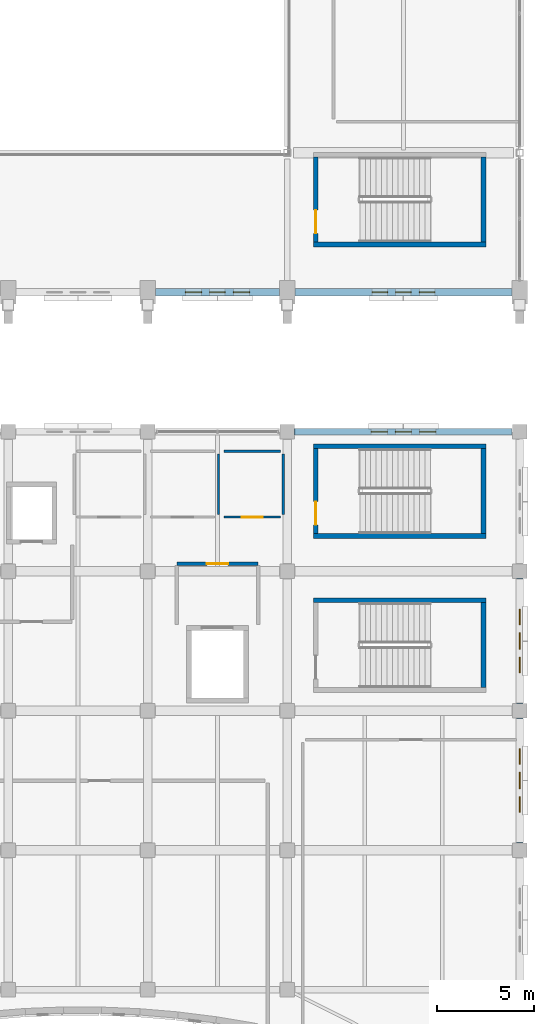
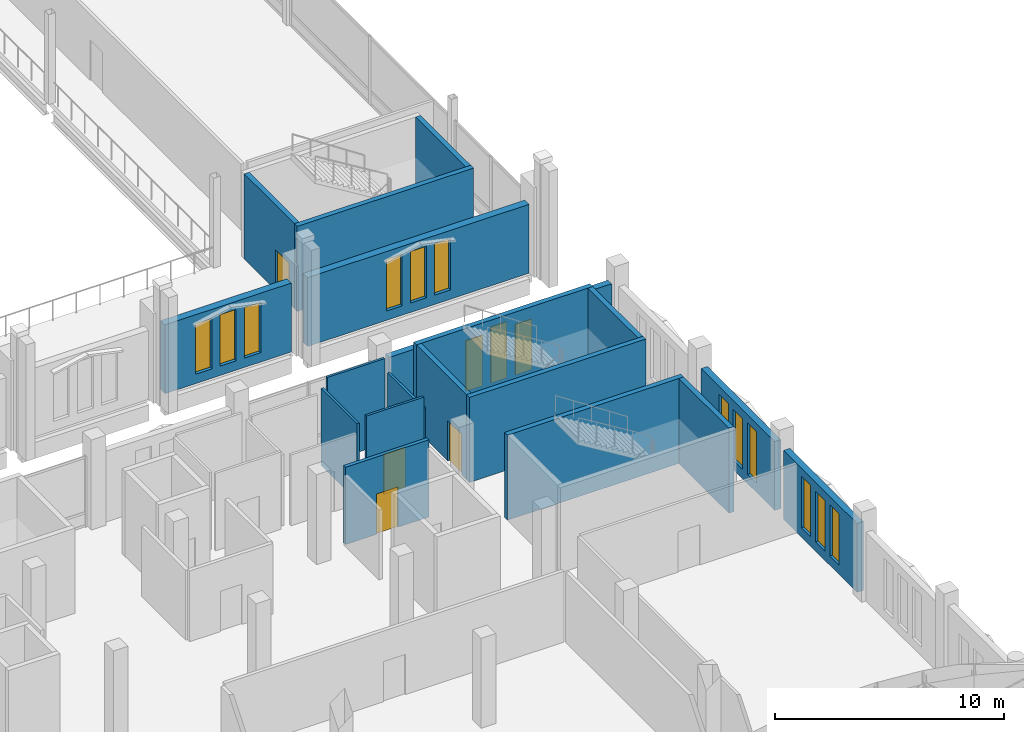
# One storey, part 145 of 193: 19 walls, 15 windows, 4 doors, 19 openings.
"""IFC4 building model written with IfcOpenShell, lengths in metres."""

from ifc_helpers import new_model, si_unit, direction, frame, frame_2d, origin, place, context, subcontext, project, spatial, rectangle, extrude, material, layer, layer_set, type_object, element, fill, save


model = new_model("IFC4")

# Units and contexts
model_context = context("Model", 3, precision=1e-05, world=origin(), true_north=direction((0.0, 1.0)))
body_context = subcontext(model_context, "Body", "Model", "MODEL_VIEW")
ifc_project = project(units=[si_unit("LENGTHUNIT", "METRE"), si_unit("AREAUNIT", "SQUARE_METRE"), si_unit("VOLUMEUNIT", "CUBIC_METRE"), si_unit("PLANEANGLEUNIT", "RADIAN"), si_unit("MASSUNIT", "GRAM", prefix="KILO")], contexts=[model_context])

# Site, building, storey
site_placement = place(None, origin())
site = spatial("IfcSite", under=ifc_project, at=site_placement, CompositionType="ELEMENT")
building_placement = place(site_placement, origin())
building = spatial("IfcBuilding", under=site, at=building_placement, Name="Cendralis Lancet Convention Centre", CompositionType="ELEMENT")
storey_placement = place(building_placement, frame((0.0, 0.0, 10.199951171875)))
storey = spatial("IfcBuildingStorey", under=building, at=storey_placement, Name="L02", CompositionType="ELEMENT", Elevation=10.199951171875)

# Wall, openings, windows
ifc_material_1 = material(Name="Buff sandstone ashlar and Concrete G40 (C40/50)", Category="masonry")
ifc_layer_1 = layer(ifc_material_1, 0.320068359375, Name="Buff sandstone ashlar and Concrete G40 (C40/50)")
ifc_layer_set_1 = layer_set([ifc_layer_1], Name="Buff sandstone ashlar and Concrete G40 (C40/50)")
wall_type_1 = type_object("IfcWallType", Name="ARC-EW-W320", PredefinedType="STANDARD", material=ifc_layer_set_1)
wall_1_placement = place(storey_placement, frame((197.18310546875, 36.0, 0.0), z_axis=(0.0, 0.0, 1.0), x_axis=(1.0, 0.0, 0.0)))
wall_1 = element("IfcWall", 1, at=wall_1_placement, inside=storey, type_object=wall_type_1, Name="L02 V5 Exterior Wall EW-06 #0290", PredefinedType="STANDARD", context=body_context, shape_type="SweptSolid", body=[
    extrude(rectangle(XDim=11.23388671875, YDim=0.320068359375, at=frame_2d((5.616943359375, 0.0))), origin(), (0.0, 0.0, 1.0), 3.775146484375),
])
opening_1_placement = place(wall_1_placement, frame((3.947021484375, 0.0, 0.5)))
opening_1 = element("IfcOpeningElement", 2, at=opening_1_placement, cuts=wall_1, Name="Opening WN-15", PredefinedType="OPENING", context=body_context, shape_type="SweptSolid", body=[
    extrude(rectangle(XDim=0.840087890625, YDim=2.699951171875, at=frame_2d((0.419921875, 1.35009765625))), frame((0.0, 0.169921875, 0.0), z_axis=(0.0, -1.0, 0.0), x_axis=(1.0, 0.0, 0.0)), (0.0, 0.0, 1.0), 0.340087890625),
])
opening_2_placement = place(wall_1_placement, frame((5.20703125, 0.0, 0.5)))
opening_2 = element("IfcOpeningElement", 3, at=opening_2_placement, cuts=wall_1, Name="Opening WN-02", PredefinedType="OPENING", context=body_context, shape_type="SweptSolid", body=[
    extrude(rectangle(XDim=0.820068359375, YDim=3.0, at=frame_2d((0.41015625, 1.5))), frame((0.0, 0.169921875, 0.0), z_axis=(0.0, -1.0, 0.0), x_axis=(1.0, 0.0, 0.0)), (0.0, 0.0, 1.0), 0.340087890625),
])
opening_3_placement = place(wall_1_placement, frame((6.447021484375, 0.0, 0.5)))
opening_3 = element("IfcOpeningElement", 4, at=opening_3_placement, cuts=wall_1, Name="Opening WN-15", PredefinedType="OPENING", context=body_context, shape_type="SweptSolid", body=[
    extrude(rectangle(XDim=0.840087890625, YDim=2.699951171875, at=frame_2d((0.419921875, 1.35009765625))), frame((0.0, 0.169921875, 0.0), z_axis=(0.0, -1.0, 0.0), x_axis=(1.0, 0.0, 0.0)), (0.0, 0.0, 1.0), 0.340087890625),
])
ifc_material_2 = material(Name="Double-glazed low-E solar-control glass", Category="glass")
window_type_1 = type_object("IfcWindowType", Name="ARC-WN-LW02", PartitioningType="SINGLE_PANEL", PredefinedType="WINDOW", material=ifc_material_2)
window_1_placement = place(opening_2_placement, origin())
window_1 = element("IfcWindow", 5, at=window_1_placement, inside=storey, type_object=window_type_1, Name="Gothic Lancet Window WN-02 #0560", OverallHeight=3.0, OverallWidth=0.820068359375, PartitioningType="SINGLE_PANEL", PredefinedType="WINDOW", context=body_context, shape_type="SweptSolid", body=[
    extrude(rectangle(XDim=0.820068359375, YDim=3.0, at=frame_2d((0.41015625, 1.5))), frame((0.0, 0.030029296875, 0.0), z_axis=(0.0, -1.0, 0.0), x_axis=(1.0, 0.0, 0.0)), (0.0, 0.0, 1.0), 0.06005859375),
])
fill(opening_2, window_1)
window_type_2 = type_object("IfcWindowType", Name="ARC-WN-LW15", PartitioningType="SINGLE_PANEL", PredefinedType="WINDOW", material=ifc_material_2)
window_2_placement = place(opening_1_placement, origin())
window_2 = element("IfcWindow", 6, at=window_2_placement, inside=storey, type_object=window_type_2, Name="Gothic Lancet Window WN-15 #0559", OverallHeight=2.699951171875, OverallWidth=0.840087890625, PartitioningType="SINGLE_PANEL", PredefinedType="WINDOW", context=body_context, shape_type="SweptSolid", body=[
    extrude(rectangle(XDim=0.840087890625, YDim=2.699951171875, at=frame_2d((0.419921875, 1.35009765625))), frame((0.0, 0.030029296875, 0.0), z_axis=(0.0, -1.0, 0.0), x_axis=(1.0, 0.0, 0.0)), (0.0, 0.0, 1.0), 0.06005859375),
])
fill(opening_1, window_2)
window_3_placement = place(opening_3_placement, origin())
window_3 = element("IfcWindow", 7, at=window_3_placement, inside=storey, type_object=window_type_2, Name="Gothic Lancet Window WN-15 #0561", OverallHeight=2.699951171875, OverallWidth=0.840087890625, PartitioningType="SINGLE_PANEL", PredefinedType="WINDOW", context=body_context, shape_type="SweptSolid", body=[
    extrude(rectangle(XDim=0.840087890625, YDim=2.699951171875, at=frame_2d((0.419921875, 1.35009765625))), frame((0.0, 0.030029296875, 0.0), z_axis=(0.0, -1.0, 0.0), x_axis=(1.0, 0.0, 0.0)), (0.0, 0.0, 1.0), 0.06005859375),
])
fill(opening_3, window_3)

wall_2_placement = place(storey_placement, frame((208.800048828125, 21.217041015625, 0.0), z_axis=(0.0, 0.0, 1.0), x_axis=(0.0, -1.0, 0.0)))
wall_2 = element("IfcWall", 8, at=wall_2_placement, inside=storey, type_object=wall_type_1, Name="L02 V5 Exterior Wall EW-06 #0293", PredefinedType="STANDARD", context=body_context, shape_type="SweptSolid", body=[
    extrude(rectangle(XDim=6.43408203125, YDim=0.320068359375, at=frame_2d((3.217041015625, 0.0))), origin(), (0.0, 0.0, 1.0), 3.675048828125),
])
opening_4_placement = place(wall_2_placement, frame((1.576904296875, 0.0, 0.5)))
opening_4 = element("IfcOpeningElement", 9, at=opening_4_placement, cuts=wall_2, Name="Opening WN-07", PredefinedType="OPENING", context=body_context, shape_type="SweptSolid", body=[
    extrude(rectangle(XDim=0.800048828125, YDim=2.75, at=frame_2d((0.39990234375, 1.375))), frame((0.0, 0.169921875, 0.0), z_axis=(0.0, -1.0, 0.0), x_axis=(1.0, 0.0, 0.0)), (0.0, 0.0, 1.0), 0.340087890625),
])
opening_5_placement = place(wall_2_placement, frame((2.797119140625, 0.0, 0.5)))
opening_5 = element("IfcOpeningElement", 10, at=opening_5_placement, cuts=wall_2, Name="Opening WN-15", PredefinedType="OPENING", context=body_context, shape_type="SweptSolid", body=[
    extrude(rectangle(XDim=0.840087890625, YDim=2.699951171875, at=frame_2d((0.419921875, 1.35009765625))), frame((0.0, 0.169921875, 0.0), z_axis=(0.0, -1.0, 0.0), x_axis=(1.0, 0.0, 0.0)), (0.0, 0.0, 1.0), 0.340087890625),
])
opening_6_placement = place(wall_2_placement, frame((4.056884765625, 0.0, 0.5)))
opening_6 = element("IfcOpeningElement", 11, at=opening_6_placement, cuts=wall_2, Name="Opening WN-07", PredefinedType="OPENING", context=body_context, shape_type="SweptSolid", body=[
    extrude(rectangle(XDim=0.800048828125, YDim=2.75, at=frame_2d((0.39990234375, 1.375))), frame((0.0, 0.169921875, 0.0), z_axis=(0.0, -1.0, 0.0), x_axis=(1.0, 0.0, 0.0)), (0.0, 0.0, 1.0), 0.340087890625),
])
window_type_3 = type_object("IfcWindowType", Name="ARC-WN-LW07", PartitioningType="SINGLE_PANEL", PredefinedType="WINDOW", material=ifc_material_2)
window_4_placement = place(opening_4_placement, origin())
window_4 = element("IfcWindow", 12, at=window_4_placement, inside=storey, type_object=window_type_3, Name="Gothic Lancet Window WN-07 #0568", OverallHeight=2.75, OverallWidth=0.800048828125, PartitioningType="SINGLE_PANEL", PredefinedType="WINDOW", context=body_context, shape_type="SweptSolid", body=[
    extrude(rectangle(XDim=0.800048828125, YDim=2.75, at=frame_2d((0.39990234375, 1.375))), frame((0.0, 0.030029296875, 0.0), z_axis=(0.0, -1.0, 0.0), x_axis=(1.0, 0.0, 0.0)), (0.0, 0.0, 1.0), 0.06005859375),
])
fill(opening_4, window_4)
window_5_placement = place(opening_6_placement, origin())
window_5 = element("IfcWindow", 13, at=window_5_placement, inside=storey, type_object=window_type_3, Name="Gothic Lancet Window WN-07 #0570", OverallHeight=2.75, OverallWidth=0.800048828125, PartitioningType="SINGLE_PANEL", PredefinedType="WINDOW", context=body_context, shape_type="SweptSolid", body=[
    extrude(rectangle(XDim=0.800048828125, YDim=2.75, at=frame_2d((0.39990234375, 1.375))), frame((0.0, 0.030029296875, 0.0), z_axis=(0.0, -1.0, 0.0), x_axis=(1.0, 0.0, 0.0)), (0.0, 0.0, 1.0), 0.06005859375),
])
fill(opening_6, window_5)
window_6_placement = place(opening_5_placement, origin())
window_6 = element("IfcWindow", 14, at=window_6_placement, inside=storey, type_object=window_type_2, Name="Gothic Lancet Window WN-15 #0569", OverallHeight=2.699951171875, OverallWidth=0.840087890625, PartitioningType="SINGLE_PANEL", PredefinedType="WINDOW", context=body_context, shape_type="SweptSolid", body=[
    extrude(rectangle(XDim=0.840087890625, YDim=2.699951171875, at=frame_2d((0.419921875, 1.35009765625))), frame((0.0, 0.030029296875, 0.0), z_axis=(0.0, -1.0, 0.0), x_axis=(1.0, 0.0, 0.0)), (0.0, 0.0, 1.0), 0.06005859375),
])
fill(opening_5, window_6)

wall_3_placement = place(storey_placement, frame((208.800048828125, 28.4169921875, 0.0), z_axis=(0.0, 0.0, 1.0), x_axis=(0.0, -1.0, 0.0)))
wall_3 = element("IfcWall", 15, at=wall_3_placement, inside=storey, type_object=wall_type_1, Name="L02 V5 Exterior Wall EW-06 #0294", PredefinedType="STANDARD", context=body_context, shape_type="SweptSolid", body=[
    extrude(rectangle(XDim=6.43408203125, YDim=0.320068359375, at=frame_2d((3.217041015625, 0.0))), origin(), (0.0, 0.0, 1.0), 3.675048828125),
])
opening_7_placement = place(wall_3_placement, frame((1.576904296875, 0.0, 0.5)))
opening_7 = element("IfcOpeningElement", 16, at=opening_7_placement, cuts=wall_3, Name="Opening WN-07", PredefinedType="OPENING", context=body_context, shape_type="SweptSolid", body=[
    extrude(rectangle(XDim=0.800048828125, YDim=2.75, at=frame_2d((0.39990234375, 1.375))), frame((0.0, 0.169921875, 0.0), z_axis=(0.0, -1.0, 0.0), x_axis=(1.0, 0.0, 0.0)), (0.0, 0.0, 1.0), 0.340087890625),
])
opening_8_placement = place(wall_3_placement, frame((2.797119140625, 0.0, 0.5)))
opening_8 = element("IfcOpeningElement", 17, at=opening_8_placement, cuts=wall_3, Name="Opening WN-15", PredefinedType="OPENING", context=body_context, shape_type="SweptSolid", body=[
    extrude(rectangle(XDim=0.840087890625, YDim=2.699951171875, at=frame_2d((0.419921875, 1.35009765625))), frame((0.0, 0.169921875, 0.0), z_axis=(0.0, -1.0, 0.0), x_axis=(1.0, 0.0, 0.0)), (0.0, 0.0, 1.0), 0.340087890625),
])
opening_9_placement = place(wall_3_placement, frame((4.056884765625, 0.0, 0.5)))
opening_9 = element("IfcOpeningElement", 18, at=opening_9_placement, cuts=wall_3, Name="Opening WN-07", PredefinedType="OPENING", context=body_context, shape_type="SweptSolid", body=[
    extrude(rectangle(XDim=0.800048828125, YDim=2.75, at=frame_2d((0.39990234375, 1.375))), frame((0.0, 0.169921875, 0.0), z_axis=(0.0, -1.0, 0.0), x_axis=(1.0, 0.0, 0.0)), (0.0, 0.0, 1.0), 0.340087890625),
])
window_7_placement = place(opening_7_placement, origin())
window_7 = element("IfcWindow", 19, at=window_7_placement, inside=storey, type_object=window_type_3, Name="Gothic Lancet Window WN-07 #0571", OverallHeight=2.75, OverallWidth=0.800048828125, PartitioningType="SINGLE_PANEL", PredefinedType="WINDOW", context=body_context, shape_type="SweptSolid", body=[
    extrude(rectangle(XDim=0.800048828125, YDim=2.75, at=frame_2d((0.39990234375, 1.375))), frame((0.0, 0.030029296875, 0.0), z_axis=(0.0, -1.0, 0.0), x_axis=(1.0, 0.0, 0.0)), (0.0, 0.0, 1.0), 0.06005859375),
])
fill(opening_7, window_7)
window_8_placement = place(opening_9_placement, origin())
window_8 = element("IfcWindow", 20, at=window_8_placement, inside=storey, type_object=window_type_3, Name="Gothic Lancet Window WN-07 #0573", OverallHeight=2.75, OverallWidth=0.800048828125, PartitioningType="SINGLE_PANEL", PredefinedType="WINDOW", context=body_context, shape_type="SweptSolid", body=[
    extrude(rectangle(XDim=0.800048828125, YDim=2.75, at=frame_2d((0.39990234375, 1.375))), frame((0.0, 0.030029296875, 0.0), z_axis=(0.0, -1.0, 0.0), x_axis=(1.0, 0.0, 0.0)), (0.0, 0.0, 1.0), 0.06005859375),
])
fill(opening_9, window_8)
window_9_placement = place(opening_8_placement, origin())
window_9 = element("IfcWindow", 21, at=window_9_placement, inside=storey, type_object=window_type_2, Name="Gothic Lancet Window WN-15 #0572", OverallHeight=2.699951171875, OverallWidth=0.840087890625, PartitioningType="SINGLE_PANEL", PredefinedType="WINDOW", context=body_context, shape_type="SweptSolid", body=[
    extrude(rectangle(XDim=0.840087890625, YDim=2.699951171875, at=frame_2d((0.419921875, 1.35009765625))), frame((0.0, 0.030029296875, 0.0), z_axis=(0.0, -1.0, 0.0), x_axis=(1.0, 0.0, 0.0)), (0.0, 0.0, 1.0), 0.06005859375),
])
fill(opening_8, window_9)

ifc_layer_2 = layer(ifc_material_1, 0.3798828125, Name="Buff sandstone ashlar and Concrete G40 (C40/50)")
ifc_layer_set_2 = layer_set([ifc_layer_2], Name="Buff sandstone ashlar and Concrete G40 (C40/50)")
wall_type_2 = type_object("IfcWallType", Name="ARC-EW-W380", PredefinedType="STANDARD", material=ifc_layer_set_2)
wall_4_placement = place(storey_placement, frame((196.39208984375, 43.199951171875, 0.0), z_axis=(0.0, 0.0, 1.0), x_axis=(-1.0, 0.0, 0.0)))
wall_4 = element("IfcWall", 22, at=wall_4_placement, inside=storey, type_object=wall_type_2, Name="L02 V2 Exterior Wall EW-03 #0116", PredefinedType="STANDARD", context=body_context, shape_type="SweptSolid", body=[
    extrude(rectangle(XDim=6.384033203125, YDim=0.3798828125, at=frame_2d((3.19189453125, 0.0))), origin(), (0.0, 0.0, 1.0), 3.675048828125),
])
opening_10_placement = place(wall_4_placement, frame((1.531982421875, 0.0, 0.5)))
opening_10 = element("IfcOpeningElement", 23, at=opening_10_placement, cuts=wall_4, Name="Opening WN-15", PredefinedType="OPENING", context=body_context, shape_type="SweptSolid", body=[
    extrude(rectangle(XDim=0.840087890625, YDim=2.699951171875, at=frame_2d((0.419921875, 1.35009765625))), frame((0.0, 0.199951171875, 0.0), z_axis=(0.0, -1.0, 0.0), x_axis=(1.0, 0.0, 0.0)), (0.0, 0.0, 1.0), 0.39990234375),
])
opening_11_placement = place(wall_4_placement, frame((2.7919921875, 0.0, 0.5)))
opening_11 = element("IfcOpeningElement", 24, at=opening_11_placement, cuts=wall_4, Name="Opening WN-07", PredefinedType="OPENING", context=body_context, shape_type="SweptSolid", body=[
    extrude(rectangle(XDim=0.800048828125, YDim=2.75, at=frame_2d((0.39990234375, 1.375))), frame((0.0, 0.199951171875, 0.0), z_axis=(0.0, -1.0, 0.0), x_axis=(1.0, 0.0, 0.0)), (0.0, 0.0, 1.0), 0.39990234375),
])
opening_12_placement = place(wall_4_placement, frame((4.011962890625, 0.0, 0.5)))
opening_12 = element("IfcOpeningElement", 25, at=opening_12_placement, cuts=wall_4, Name="Opening WN-15", PredefinedType="OPENING", context=body_context, shape_type="SweptSolid", body=[
    extrude(rectangle(XDim=0.840087890625, YDim=2.699951171875, at=frame_2d((0.419921875, 1.35009765625))), frame((0.0, 0.199951171875, 0.0), z_axis=(0.0, -1.0, 0.0), x_axis=(1.0, 0.0, 0.0)), (0.0, 0.0, 1.0), 0.39990234375),
])
window_10_placement = place(opening_11_placement, origin())
window_10 = element("IfcWindow", 26, at=window_10_placement, inside=storey, type_object=window_type_3, Name="Gothic Lancet Window WN-07 #0220", OverallHeight=2.75, OverallWidth=0.800048828125, PartitioningType="SINGLE_PANEL", PredefinedType="WINDOW", context=body_context, shape_type="SweptSolid", body=[
    extrude(rectangle(XDim=0.800048828125, YDim=2.75, at=frame_2d((0.39990234375, 1.375))), frame((0.0, 0.030029296875, 0.0), z_axis=(0.0, -1.0, 0.0), x_axis=(1.0, 0.0, 0.0)), (0.0, 0.0, 1.0), 0.06005859375),
])
fill(opening_11, window_10)
window_11_placement = place(opening_10_placement, origin())
window_11 = element("IfcWindow", 27, at=window_11_placement, inside=storey, type_object=window_type_2, Name="Gothic Lancet Window WN-15 #0219", OverallHeight=2.699951171875, OverallWidth=0.840087890625, PartitioningType="SINGLE_PANEL", PredefinedType="WINDOW", context=body_context, shape_type="SweptSolid", body=[
    extrude(rectangle(XDim=0.840087890625, YDim=2.699951171875, at=frame_2d((0.419921875, 1.35009765625))), frame((0.0, 0.030029296875, 0.0), z_axis=(0.0, -1.0, 0.0), x_axis=(1.0, 0.0, 0.0)), (0.0, 0.0, 1.0), 0.06005859375),
])
fill(opening_10, window_11)
window_12_placement = place(opening_12_placement, origin())
window_12 = element("IfcWindow", 28, at=window_12_placement, inside=storey, type_object=window_type_2, Name="Gothic Lancet Window WN-15 #0221", OverallHeight=2.699951171875, OverallWidth=0.840087890625, PartitioningType="SINGLE_PANEL", PredefinedType="WINDOW", context=body_context, shape_type="SweptSolid", body=[
    extrude(rectangle(XDim=0.840087890625, YDim=2.699951171875, at=frame_2d((0.419921875, 1.35009765625))), frame((0.0, 0.030029296875, 0.0), z_axis=(0.0, -1.0, 0.0), x_axis=(1.0, 0.0, 0.0)), (0.0, 0.0, 1.0), 0.06005859375),
])
fill(opening_12, window_12)

wall_5_placement = place(storey_placement, frame((208.39208984375, 43.199951171875, 0.0), z_axis=(0.0, 0.0, 1.0), x_axis=(-1.0, 0.0, 0.0)))
wall_5 = element("IfcWall", 29, at=wall_5_placement, inside=storey, type_object=wall_type_2, Name="L02 V2 Exterior Wall EW-03 #0117", PredefinedType="STANDARD", context=body_context, shape_type="SweptSolid", body=[
    extrude(rectangle(XDim=11.18408203125, YDim=0.3798828125, at=frame_2d((5.592041015625, 0.0))), origin(), (0.0, 0.0, 1.0), 3.675048828125),
])
opening_13_placement = place(wall_5_placement, frame((3.971923828125, 0.0, 0.5)))
opening_13 = element("IfcOpeningElement", 30, at=opening_13_placement, cuts=wall_5, Name="Opening WN-07", PredefinedType="OPENING", context=body_context, shape_type="SweptSolid", body=[
    extrude(rectangle(XDim=0.800048828125, YDim=2.75, at=frame_2d((0.39990234375, 1.375))), frame((0.0, 0.199951171875, 0.0), z_axis=(0.0, -1.0, 0.0), x_axis=(1.0, 0.0, 0.0)), (0.0, 0.0, 1.0), 0.39990234375),
])
opening_14_placement = place(wall_5_placement, frame((5.19189453125, 0.0, 0.5)))
opening_14 = element("IfcOpeningElement", 31, at=opening_14_placement, cuts=wall_5, Name="Opening WN-07", PredefinedType="OPENING", context=body_context, shape_type="SweptSolid", body=[
    extrude(rectangle(XDim=0.800048828125, YDim=2.75, at=frame_2d((0.39990234375, 1.375))), frame((0.0, 0.199951171875, 0.0), z_axis=(0.0, -1.0, 0.0), x_axis=(1.0, 0.0, 0.0)), (0.0, 0.0, 1.0), 0.39990234375),
])
opening_15_placement = place(wall_5_placement, frame((6.412109375, 0.0, 0.5)))
opening_15 = element("IfcOpeningElement", 32, at=opening_15_placement, cuts=wall_5, Name="Opening WN-07", PredefinedType="OPENING", context=body_context, shape_type="SweptSolid", body=[
    extrude(rectangle(XDim=0.800048828125, YDim=2.75, at=frame_2d((0.39990234375, 1.375))), frame((0.0, 0.199951171875, 0.0), z_axis=(0.0, -1.0, 0.0), x_axis=(1.0, 0.0, 0.0)), (0.0, 0.0, 1.0), 0.39990234375),
])
window_13_placement = place(opening_13_placement, origin())
window_13 = element("IfcWindow", 33, at=window_13_placement, inside=storey, type_object=window_type_3, Name="Gothic Lancet Window WN-07 #0222", OverallHeight=2.75, OverallWidth=0.800048828125, PartitioningType="SINGLE_PANEL", PredefinedType="WINDOW", context=body_context, shape_type="SweptSolid", body=[
    extrude(rectangle(XDim=0.800048828125, YDim=2.75, at=frame_2d((0.39990234375, 1.375))), frame((0.0, 0.030029296875, 0.0), z_axis=(0.0, -1.0, 0.0), x_axis=(1.0, 0.0, 0.0)), (0.0, 0.0, 1.0), 0.06005859375),
])
fill(opening_13, window_13)
window_14_placement = place(opening_14_placement, origin())
window_14 = element("IfcWindow", 34, at=window_14_placement, inside=storey, type_object=window_type_3, Name="Gothic Lancet Window WN-07 #0223", OverallHeight=2.75, OverallWidth=0.800048828125, PartitioningType="SINGLE_PANEL", PredefinedType="WINDOW", context=body_context, shape_type="SweptSolid", body=[
    extrude(rectangle(XDim=0.800048828125, YDim=2.75, at=frame_2d((0.39990234375, 1.375))), frame((0.0, 0.030029296875, 0.0), z_axis=(0.0, -1.0, 0.0), x_axis=(1.0, 0.0, 0.0)), (0.0, 0.0, 1.0), 0.06005859375),
])
fill(opening_14, window_14)
window_15_placement = place(opening_15_placement, origin())
window_15 = element("IfcWindow", 35, at=window_15_placement, inside=storey, type_object=window_type_3, Name="Gothic Lancet Window WN-07 #0224", OverallHeight=2.75, OverallWidth=0.800048828125, PartitioningType="SINGLE_PANEL", PredefinedType="WINDOW", context=body_context, shape_type="SweptSolid", body=[
    extrude(rectangle(XDim=0.800048828125, YDim=2.75, at=frame_2d((0.39990234375, 1.375))), frame((0.0, 0.030029296875, 0.0), z_axis=(0.0, -1.0, 0.0), x_axis=(1.0, 0.0, 0.0)), (0.0, 0.0, 1.0), 0.06005859375),
])
fill(opening_15, window_15)

# Wall
ifc_material_3 = material(Name="Acoustic fire-rated gypsum board on steel studs", Category="steel")
ifc_layer_3 = layer(ifc_material_3, 0.1201171875, Name="Acoustic fire-rated gypsum board on steel studs")
ifc_layer_set_3 = layer_set([ifc_layer_3], Name="Acoustic fire-rated gypsum board on steel studs")
wall_type_3 = type_object("IfcWallType", Name="ARC-IW-P120", PredefinedType="PARTITIONING", material=ifc_layer_set_3)
wall_6_placement = place(storey_placement, frame((193.25, 31.739990234375, 0.0), z_axis=(0.0, 0.0, 1.0), x_axis=(0.0, 1.0, 0.0)))
element("IfcWall", 36, at=wall_6_placement, inside=storey, type_object=wall_type_3, Name="L02 Interior Partition IW-05 #0401", PredefinedType="PARTITIONING", context=body_context, shape_type="SweptSolid", body=[
    extrude(rectangle(XDim=3.1201171875, YDim=0.1201171875, at=frame_2d((1.56005859375, 0.0))), origin(), (0.0, 0.0, 1.0), 4.125),
])

# Wall, opening, door
wall_7_placement = place(storey_placement, frame((193.550048828125, 31.60009765625, 0.0), z_axis=(0.0, 0.0, 1.0), x_axis=(1.0, 0.0, 0.0)))
wall_7 = element("IfcWall", 37, at=wall_7_placement, inside=storey, type_object=wall_type_3, Name="L02 Interior Partition IW-05 #0402", PredefinedType="PARTITIONING", context=body_context, shape_type="SweptSolid", body=[
    extrude(rectangle(XDim=2.89990234375, YDim=0.1201171875, at=frame_2d((1.449951171875, 0.0))), origin(), (0.0, 0.0, 1.0), 4.525146484375),
])
opening_16_placement = place(wall_7_placement, frame((0.89990234375, 0.0, 0.0)))
opening_16 = element("IfcOpeningElement", 38, at=opening_16_placement, cuts=wall_7, Name="Opening FD-11", PredefinedType="OPENING", context=body_context, shape_type="SweptSolid", body=[
    extrude(rectangle(XDim=1.10009765625, YDim=2.14990234375, at=frame_2d((0.550048828125, 1.074951171875))), frame((0.0, 0.070068359375, 0.0), z_axis=(0.0, -1.0, 0.0), x_axis=(1.0, 0.0, 0.0)), (0.0, 0.0, 1.0), 0.14013671875),
])
ifc_material_4 = material(Name="Steel S355", Category="steel")
door_type_1 = type_object("IfcDoorType", Name="ARC-DR-FF11", OperationType="NOTDEFINED", PredefinedType="DOOR", material=ifc_material_4)
door_1_placement = place(opening_16_placement, frame((1.10009765625, 0.0, 0.0), z_axis=(0.0, 0.0, 1.0), x_axis=(-1.0, 0.0, 0.0)))
door_1 = element("IfcDoor", 39, at=door_1_placement, inside=storey, type_object=door_type_1, Name="L02-D027 L02 Interior Door FD-11 #0137", OperationType="SINGLE_SWING_LEFT", OverallHeight=2.14990234375, OverallWidth=1.10009765625, PredefinedType="DOOR", context=body_context, shape_type="SweptSolid", body=[
    extrude(rectangle(XDim=1.10009765625, YDim=2.14990234375, at=frame_2d((0.550048828125, 1.074951171875))), frame((0.0, 0.02490234375, 0.0), z_axis=(0.0, -1.0, 0.0), x_axis=(1.0, 0.0, 0.0)), (0.0, 0.0, 1.0), 0.050048828125),
])
fill(opening_16, door_1)

# Walls
wall_8_placement = place(storey_placement, frame((193.550048828125, 35.0, 0.0), z_axis=(0.0, 0.0, 1.0), x_axis=(1.0, 0.0, 0.0)))
element("IfcWall", 40, at=wall_8_placement, inside=storey, type_object=wall_type_3, Name="L02 Interior Partition IW-05 #0403", PredefinedType="PARTITIONING", context=body_context, shape_type="SweptSolid", body=[
    extrude(rectangle(XDim=2.89990234375, YDim=0.1201171875, at=frame_2d((1.449951171875, 0.0))), origin(), (0.0, 0.0, 1.0), 4.525146484375),
])
wall_9_placement = place(storey_placement, frame((196.60009765625, 31.739990234375, 0.0), z_axis=(0.0, 0.0, 1.0), x_axis=(0.0, 1.0, 0.0)))
element("IfcWall", 41, at=wall_9_placement, inside=storey, type_object=wall_type_3, Name="L02 Interior Partition IW-05 #0404", PredefinedType="PARTITIONING", context=body_context, shape_type="SweptSolid", body=[
    extrude(rectangle(XDim=3.1201171875, YDim=0.1201171875, at=frame_2d((1.56005859375, 0.0))), origin(), (0.0, 0.0, 1.0), 3.775146484375),
])

# Wall, opening, door
ifc_layer_4 = layer(ifc_material_3, 0.179931640625, Name="Acoustic fire-rated gypsum board on steel studs")
ifc_layer_set_4 = layer_set([ifc_layer_4], Name="Acoustic fire-rated gypsum board on steel studs")
wall_type_4 = type_object("IfcWallType", Name="ARC-IW-P180", PredefinedType="PARTITIONING", material=ifc_layer_set_4)
wall_10_placement = place(storey_placement, frame((191.10009765625, 29.199951171875, 0.0), z_axis=(0.0, 0.0, 1.0), x_axis=(1.0, 0.0, 0.0)))
wall_10 = element("IfcWall", 42, at=wall_10_placement, inside=storey, type_object=wall_type_4, Name="L02 Lift Lobby LG-04 Front Wall", PredefinedType="PARTITIONING", context=body_context, shape_type="SweptSolid", body=[
    extrude(rectangle(XDim=4.199951171875, YDim=0.179931640625, at=frame_2d((2.10009765625, 0.0))), origin(), (0.0, 0.0, 1.0), 4.125),
])
opening_17_placement = place(wall_10_placement, frame((1.550048828125, 0.0, 0.0)))
opening_17 = element("IfcOpeningElement", 43, at=opening_17_placement, cuts=wall_10, Name="Opening FD-11", PredefinedType="OPENING", context=body_context, shape_type="SweptSolid", body=[
    extrude(rectangle(XDim=1.10009765625, YDim=2.14990234375, at=frame_2d((0.550048828125, 1.074951171875))), frame((0.0, 0.099853515625, 0.0), z_axis=(0.0, -1.0, 0.0), x_axis=(1.0, 0.0, 0.0)), (0.0, 0.0, 1.0), 0.199951171875),
])
door_2_placement = place(opening_17_placement, origin())
door_2 = element("IfcDoor", 44, at=door_2_placement, inside=storey, type_object=door_type_1, Name="L02-D044 L02 Lift Lobby LG-04 Fire Door", OperationType="SINGLE_SWING_RIGHT", OverallHeight=2.14990234375, OverallWidth=1.10009765625, PredefinedType="DOOR", context=body_context, shape_type="SweptSolid", body=[
    extrude(rectangle(XDim=1.10009765625, YDim=2.14990234375, at=frame_2d((0.550048828125, 1.074951171875))), frame((0.0, 0.02490234375, 0.0), z_axis=(0.0, -1.0, 0.0), x_axis=(1.0, 0.0, 0.0)), (0.0, 0.0, 1.0), 0.050048828125),
])
fill(opening_17, door_2)

ifc_material_5 = material(Name="Concrete G40 (C40/50)", Category="concrete")
ifc_layer_5 = layer(ifc_material_5, 0.25, Name="Concrete G40 (C40/50)")
ifc_layer_set_5 = layer_set([ifc_layer_5], Name="Concrete G40 (C40/50)")
wall_type_5 = type_object("IfcWallType", Name="STR-SW-CW250", PredefinedType="SHEAR", material=ifc_layer_set_5)
wall_11_placement = place(storey_placement, frame((198.27490234375, 45.800048828125, 0.0), z_axis=(0.0, 0.0, 1.0), x_axis=(0.0, 1.0, 0.0)))
wall_11 = element("IfcWall", 45, at=wall_11_placement, inside=storey, type_object=wall_type_5, Name="L02 Stair Core ST-09 West Shear Wall", PredefinedType="SHEAR", context=body_context, shape_type="SweptSolid", body=[
    extrude(rectangle(XDim=4.3798828125, YDim=0.25, at=frame_2d((2.18994140625, 0.0))), origin(), (0.0, 0.0, 1.0), 4.5400390625),
])
opening_18_placement = place(wall_11_placement, frame((0.449951171875, 0.0, 0.0)))
opening_18 = element("IfcOpeningElement", 46, at=opening_18_placement, cuts=wall_11, Name="Opening SD-12", PredefinedType="OPENING", context=body_context, shape_type="SweptSolid", body=[
    extrude(rectangle(XDim=1.199951171875, YDim=2.14990234375, at=frame_2d((0.60009765625, 1.074951171875))), frame((0.0, 0.135009765625, 0.0), z_axis=(0.0, -1.0, 0.0), x_axis=(1.0, 0.0, 0.0)), (0.0, 0.0, 1.0), 0.27001953125),
])
door_type_2 = type_object("IfcDoorType", Name="ARC-DR-ST12", OperationType="NOTDEFINED", PredefinedType="DOOR", material=ifc_material_4)
door_3_placement = place(opening_18_placement, frame((1.199951171875, 0.0, 0.0), z_axis=(0.0, 0.0, 1.0), x_axis=(-1.0, 0.0, 0.0)))
door_3 = element("IfcDoor", 47, at=door_3_placement, inside=storey, type_object=door_type_2, Name="L02-D056 L02 Exit Stair ST-09 Fire Door", OperationType="SINGLE_SWING_LEFT", OverallHeight=2.14990234375, OverallWidth=1.199951171875, PredefinedType="DOOR", context=body_context, shape_type="SweptSolid", body=[
    extrude(rectangle(XDim=1.199951171875, YDim=2.14990234375, at=frame_2d((0.60009765625, 1.074951171875))), frame((0.0, 0.02490234375, 0.0), z_axis=(0.0, -1.0, 0.0), x_axis=(1.0, 0.0, 0.0)), (0.0, 0.0, 1.0), 0.050048828125),
])
fill(opening_18, door_3)

# Walls
wall_12_placement = place(storey_placement, frame((206.925048828125, 45.800048828125, 0.0), z_axis=(0.0, 0.0, 1.0), x_axis=(0.0, 1.0, 0.0)))
element("IfcWall", 48, at=wall_12_placement, inside=storey, type_object=wall_type_5, Name="L02 Stair Core ST-09 East Shear Wall", PredefinedType="SHEAR", context=body_context, shape_type="SweptSolid", body=[
    extrude(rectangle(XDim=4.3798828125, YDim=0.25, at=frame_2d((2.18994140625, 0.0))), origin(), (0.0, 0.0, 1.0), 4.5400390625),
])
wall_13_placement = place(storey_placement, frame((198.14990234375, 45.675048828125, 0.0), z_axis=(0.0, 0.0, 1.0), x_axis=(1.0, 0.0, 0.0)))
element("IfcWall", 49, at=wall_13_placement, inside=storey, type_object=wall_type_5, Name="L02 Stair Core ST-09 South Shear Wall", PredefinedType="SHEAR", context=body_context, shape_type="SweptSolid", body=[
    extrude(rectangle(XDim=8.900146484375, YDim=0.25, at=frame_2d((4.4501953125, 0.0))), origin(), (0.0, 0.0, 1.0), 4.5400390625),
])
wall_14_placement = place(storey_placement, frame((206.925048828125, 22.800048828125, 0.0), z_axis=(0.0, 0.0, 1.0), x_axis=(0.0, 1.0, 0.0)))
element("IfcWall", 50, at=wall_14_placement, inside=storey, type_object=wall_type_5, Name="L02 Stair Core ST-15 East Shear Wall", PredefinedType="SHEAR", context=body_context, shape_type="SweptSolid", body=[
    extrude(rectangle(XDim=4.3798828125, YDim=0.25, at=frame_2d((2.18994140625, 0.0))), origin(), (0.0, 0.0, 1.0), 4.5400390625),
])
wall_15_placement = place(storey_placement, frame((198.14990234375, 27.304931640625, 0.0), z_axis=(0.0, 0.0, 1.0), x_axis=(1.0, 0.0, 0.0)))
element("IfcWall", 51, at=wall_15_placement, inside=storey, type_object=wall_type_5, Name="L02 Stair Core ST-15 North Shear Wall", PredefinedType="SHEAR", context=body_context, shape_type="SweptSolid", body=[
    extrude(rectangle(XDim=8.900146484375, YDim=0.25, at=frame_2d((4.4501953125, 0.0))), origin(), (0.0, 0.0, 1.0), 4.5400390625),
])

# Wall, opening, door
wall_16_placement = place(storey_placement, frame((198.27490234375, 30.75, 0.0), z_axis=(0.0, 0.0, 1.0), x_axis=(0.0, 1.0, 0.0)))
wall_16 = element("IfcWall", 52, at=wall_16_placement, inside=storey, type_object=wall_type_5, Name="L02 Stair Core ST-16 West Shear Wall", PredefinedType="SHEAR", context=body_context, shape_type="SweptSolid", body=[
    extrude(rectangle(XDim=4.3798828125, YDim=0.25, at=frame_2d((2.18994140625, 0.0))), origin(), (0.0, 0.0, 1.0), 4.5400390625),
])
opening_19_placement = place(wall_16_placement, frame((0.449951171875, 0.0, 0.0)))
opening_19 = element("IfcOpeningElement", 53, at=opening_19_placement, cuts=wall_16, Name="Opening SD-12", PredefinedType="OPENING", context=body_context, shape_type="SweptSolid", body=[
    extrude(rectangle(XDim=1.199951171875, YDim=2.14990234375, at=frame_2d((0.60009765625, 1.074951171875))), frame((0.0, 0.135009765625, 0.0), z_axis=(0.0, -1.0, 0.0), x_axis=(1.0, 0.0, 0.0)), (0.0, 0.0, 1.0), 0.27001953125),
])
door_4_placement = place(opening_19_placement, frame((1.199951171875, 0.0, 0.0), z_axis=(0.0, 0.0, 1.0), x_axis=(-1.0, 0.0, 0.0)))
door_4 = element("IfcDoor", 54, at=door_4_placement, inside=storey, type_object=door_type_2, Name="L02-D063 L02 Exit Stair ST-16 Fire Door", OperationType="SINGLE_SWING_RIGHT", OverallHeight=2.14990234375, OverallWidth=1.199951171875, PredefinedType="DOOR", context=body_context, shape_type="SweptSolid", body=[
    extrude(rectangle(XDim=1.199951171875, YDim=2.14990234375, at=frame_2d((0.60009765625, 1.074951171875))), frame((0.0, 0.02490234375, 0.0), z_axis=(0.0, -1.0, 0.0), x_axis=(1.0, 0.0, 0.0)), (0.0, 0.0, 1.0), 0.050048828125),
])
fill(opening_19, door_4)

# Walls
wall_17_placement = place(storey_placement, frame((206.925048828125, 30.75, 0.0), z_axis=(0.0, 0.0, 1.0), x_axis=(0.0, 1.0, 0.0)))
element("IfcWall", 55, at=wall_17_placement, inside=storey, type_object=wall_type_5, Name="L02 Stair Core ST-16 East Shear Wall", PredefinedType="SHEAR", context=body_context, shape_type="SweptSolid", body=[
    extrude(rectangle(XDim=4.3798828125, YDim=0.25, at=frame_2d((2.18994140625, 0.0))), origin(), (0.0, 0.0, 1.0), 4.5400390625),
])
for number, where, z_axis, x_axis, name in (
    (56, (198.14990234375, 30.625, 0.0), (0.0, 0.0, 1.0), (1.0, 0.0, 0.0), "L02 Stair Core ST-16 South Shear Wall"),
    (57, (198.14990234375, 35.2548828125, 0.0), (0.0, 0.0, 1.0), (1.0, 0.0, 0.0), "L02 Stair Core ST-16 North Shear Wall"),
):
    element("IfcWall", number, at=place(storey_placement, frame(where, z_axis=z_axis, x_axis=x_axis)), inside=storey, type_object=wall_type_5, Name=name, PredefinedType="SHEAR", context=body_context, shape_type="SweptSolid", body=[
        extrude(rectangle(XDim=8.900146484375, YDim=0.25, at=frame_2d((4.4501953125, 0.0))), origin(), (0.0, 0.0, 1.0), 4.5400390625),
    ])

save(model, "model.ifc")
